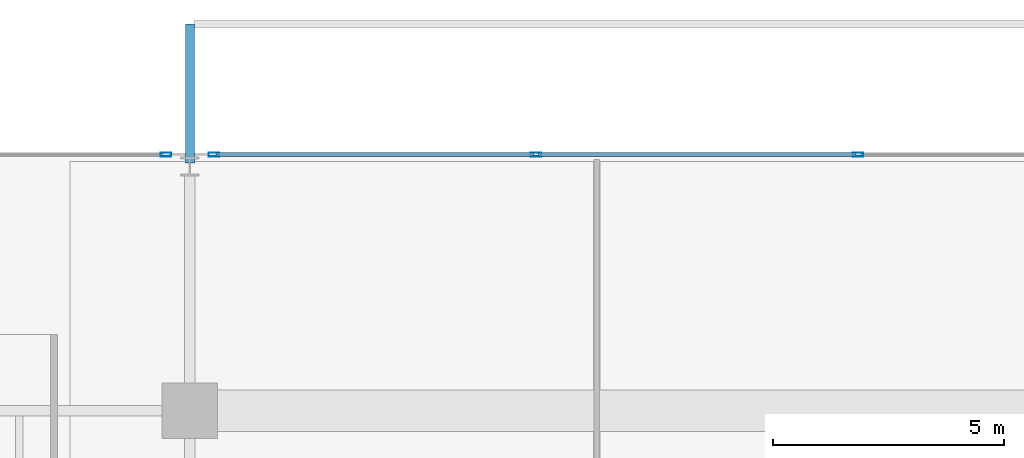
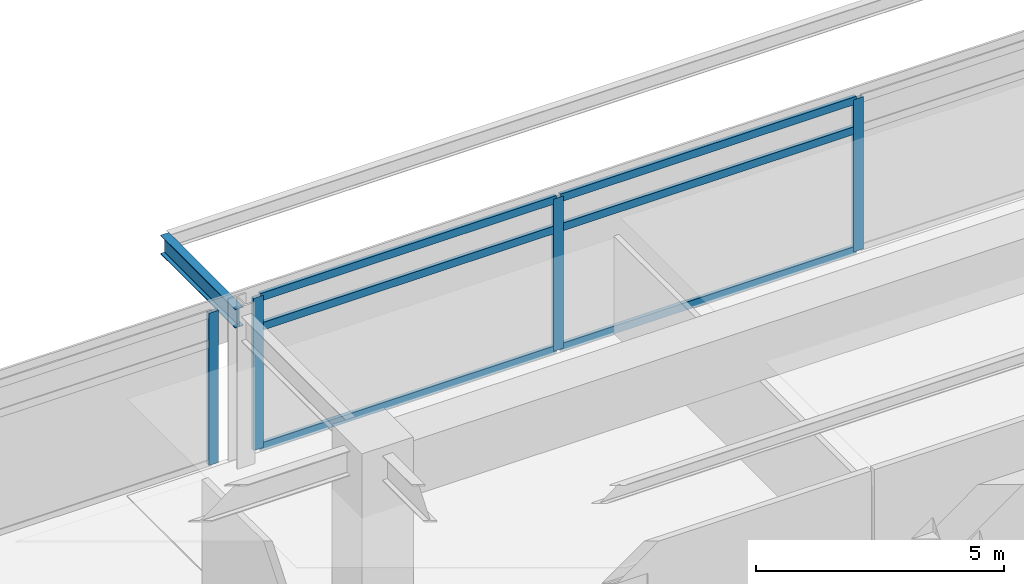
# One storey, part 9 of 20: 10 members, 1 beam, 2 elements without a shape of their own.
"""IFC4 building model written with IfcOpenShell, lengths in metres."""

from ifc_helpers import new_model, si_unit, direction, frame, origin, origin_2d, place, context, subcontext, project, spatial, hollow_rectangle, i_section, extrude, material, material_profile, profile_set, type_object, element, aggregate, save


model = new_model("IFC4")

# Units and contexts
model_context = context("Model", 3, precision=1e-05, world=origin(), true_north=direction((0.0, 1.0)))
body_context = subcontext(model_context, "Body", "Model", "MODEL_VIEW")
ifc_project = project(units=[si_unit("LENGTHUNIT", "METRE"), si_unit("AREAUNIT", "SQUARE_METRE"), si_unit("VOLUMEUNIT", "CUBIC_METRE"), si_unit("PLANEANGLEUNIT", "RADIAN"), si_unit("MASSUNIT", "GRAM", prefix="KILO")], contexts=[model_context])

# Site, building, storey
site_placement = place(None, origin())
site = spatial("IfcSite", under=ifc_project, at=site_placement, CompositionType="ELEMENT")
building_placement = place(site_placement, origin())
building = spatial("IfcBuilding", under=site, at=building_placement, Name="Kovane Verandah Tower", CompositionType="ELEMENT")
storey_placement = place(building_placement, frame((0.0, 0.0, 279.199951171875)))
storey = spatial("IfcBuildingStorey", under=building, at=storey_placement, Name="L65", CompositionType="ELEMENT", Elevation=279.199951171875)

# Curtain wall, members
ifc_material_1 = material(Name="Champagne Anodised Aluminium Frame with Low-E Clear Laminated Glass", Category="aluminium")
curtain_wall_type = type_object("IfcCurtainWallType", Name="CW-SYS-05-HIGH", PredefinedType="NOTDEFINED", material=ifc_material_1)
curtain_wall_1_placement = place(storey_placement, origin())
curtain_wall_1 = element("IfcCurtainWall", 1, at=curtain_wall_1_placement, inside=storey, type_object=curtain_wall_type, Name="L65 N Unitised Curtain Wall-2", PredefinedType="NOTDEFINED")
ifc_material_2 = material(Name="Champagne Anodised Aluminium 6063-T6", Category="aluminium")
ifc_material_profile_1 = material_profile(ifc_material_2, hollow_rectangle(XDim=0.0849609375, YDim=0.22998046875, WallThickness=0.00390625, at=origin_2d()), Name="AL85x230x4")
ifc_profile_set_1 = profile_set([ifc_material_profile_1], Name="Champagne Anodised Aluminium 6063-T6")
member_type_1 = type_object("IfcMemberType", Name="CW-MUL-85x230", PredefinedType="MULLION", material=ifc_profile_set_1)
member_1_placement = place(storey_placement, frame((43.493408203125, 49.75634765625, 0.02001953125), z_axis=(0.0, 0.0, 1.0), x_axis=(0.0, 1.0, 0.0)))
member_1 = element("IfcMember", 2, at=member_1_placement, type_object=member_type_1, Name="L65 N Unitised Curtain Wall-2 Mullion 2", PredefinedType="MULLION", context=body_context, shape_type="SweptSolid", body=[
    extrude(hollow_rectangle(XDim=0.0849609375, YDim=0.22998046875, WallThickness=0.00390625, at=origin_2d()), origin(), (0.0, 0.0, 1.0), 3.7451171875),
])
member_2_placement = place(storey_placement, frame((36.506591796875, 49.75634765625, 0.02001953125), z_axis=(0.0, 0.0, 1.0), x_axis=(0.0, 1.0, 0.0)))
member_2 = element("IfcMember", 3, at=member_2_placement, type_object=member_type_1, Name="L65 N Unitised Curtain Wall-2 Mullion 3", PredefinedType="MULLION", context=body_context, shape_type="SweptSolid", body=[
    extrude(hollow_rectangle(XDim=0.0849609375, YDim=0.22998046875, WallThickness=0.00390625, at=origin_2d()), origin(), (0.0, 0.0, 1.0), 3.7451171875),
])
member_3_placement = place(storey_placement, frame((29.52001953125, 49.75634765625, 0.02001953125), z_axis=(0.0, 0.0, 1.0), x_axis=(0.0, 1.0, 0.0)))
member_3 = element("IfcMember", 4, at=member_3_placement, type_object=member_type_1, Name="L65 N Unitised Curtain Wall-2 Mullion 4", PredefinedType="MULLION", context=body_context, shape_type="SweptSolid", body=[
    extrude(hollow_rectangle(XDim=0.0849609375, YDim=0.22998046875, WallThickness=0.00390625, at=origin_2d()), origin(), (0.0, 0.0, 1.0), 3.7451171875),
])

# Curtain wall, member
curtain_wall_2_placement = place(storey_placement, origin())
curtain_wall_2 = element("IfcCurtainWall", 5, at=curtain_wall_2_placement, inside=storey, type_object=curtain_wall_type, Name="L65 N Unitised Curtain Wall-3", PredefinedType="NOTDEFINED")
member_4_placement = place(storey_placement, frame((28.47998046875, 49.75634765625, 0.02001953125), z_axis=(0.0, 0.0, 1.0), x_axis=(0.0, 1.0, 0.0)))
member_4 = element("IfcMember", 6, at=member_4_placement, type_object=member_type_1, Name="L65 N Unitised Curtain Wall-3 Mullion 1", PredefinedType="MULLION", context=body_context, shape_type="SweptSolid", body=[
    extrude(hollow_rectangle(XDim=0.0849609375, YDim=0.22998046875, WallThickness=0.00390625, at=origin_2d()), origin(), (0.0, 0.0, 1.0), 3.7451171875),
])
aggregate(curtain_wall_2, [member_4])

# Member
ifc_material_profile_2 = material_profile(ifc_material_2, hollow_rectangle(XDim=0.0849609375, YDim=0.18994140625, WallThickness=0.00390625, at=origin_2d()), Name="AL85x190x4")
ifc_profile_set_2 = profile_set([ifc_material_profile_2], Name="Champagne Anodised Aluminium 6063-T6")
member_type_2 = type_object("IfcMemberType", Name="CW-TRN-85x190", PredefinedType="USERDEFINED", material=ifc_profile_set_2)
member_5_placement = place(storey_placement, frame((43.443359375, 49.75634765625, 0.050048828125), z_axis=(-1.0, 0.0, 0.0), x_axis=(0.0, -1.0, 0.0)))
member_5 = element("IfcMember", 7, at=member_5_placement, type_object=member_type_2, Name="L65 N Unitised Curtain Wall-2 Transom TB Bay 2", ObjectType="TRANSOM", PredefinedType="USERDEFINED", context=body_context, shape_type="SweptSolid", body=[
    extrude(hollow_rectangle(XDim=0.0849609375, YDim=0.18994140625, WallThickness=0.00390625, at=origin_2d()), origin(), (0.0, 0.0, 1.0), 6.88671875),
])

member_6_placement = place(storey_placement, frame((43.443359375, 49.75634765625, 3.005126953125), z_axis=(-1.0, 0.0, 0.0), x_axis=(0.0, -1.0, 0.0)))
member_6 = element("IfcMember", 8, at=member_6_placement, type_object=member_type_2, Name="L65 N Unitised Curtain Wall-2 Transom TM Bay 2", ObjectType="TRANSOM", PredefinedType="USERDEFINED", context=body_context, shape_type="SweptSolid", body=[
    extrude(hollow_rectangle(XDim=0.0849609375, YDim=0.18994140625, WallThickness=0.00390625, at=origin_2d()), origin(), (0.0, 0.0, 1.0), 6.88671875),
])

member_7_placement = place(storey_placement, frame((43.443359375, 49.75634765625, 3.735107421875), z_axis=(-1.0, 0.0, 0.0), x_axis=(0.0, -1.0, 0.0)))
member_7 = element("IfcMember", 9, at=member_7_placement, type_object=member_type_2, Name="L65 N Unitised Curtain Wall-2 Transom TT Bay 2", ObjectType="TRANSOM", PredefinedType="USERDEFINED", context=body_context, shape_type="SweptSolid", body=[
    extrude(hollow_rectangle(XDim=0.0849609375, YDim=0.18994140625, WallThickness=0.00390625, at=origin_2d()), origin(), (0.0, 0.0, 1.0), 6.88671875),
])

member_8_placement = place(storey_placement, frame((36.456787109375, 49.75634765625, 0.050048828125), z_axis=(-1.0, 0.0, 0.0), x_axis=(0.0, -1.0, 0.0)))
member_8 = element("IfcMember", 10, at=member_8_placement, type_object=member_type_2, Name="L65 N Unitised Curtain Wall-2 Transom TB Bay 3", ObjectType="TRANSOM", PredefinedType="USERDEFINED", context=body_context, shape_type="SweptSolid", body=[
    extrude(hollow_rectangle(XDim=0.0849609375, YDim=0.18994140625, WallThickness=0.00390625, at=origin_2d()), origin(), (0.0, 0.0, 1.0), 6.88671875),
])

member_9_placement = place(storey_placement, frame((36.456787109375, 49.75634765625, 3.005126953125), z_axis=(-1.0, 0.0, 0.0), x_axis=(0.0, -1.0, 0.0)))
member_9 = element("IfcMember", 11, at=member_9_placement, type_object=member_type_2, Name="L65 N Unitised Curtain Wall-2 Transom TM Bay 3", ObjectType="TRANSOM", PredefinedType="USERDEFINED", context=body_context, shape_type="SweptSolid", body=[
    extrude(hollow_rectangle(XDim=0.0849609375, YDim=0.18994140625, WallThickness=0.00390625, at=origin_2d()), origin(), (0.0, 0.0, 1.0), 6.88671875),
])

member_10_placement = place(storey_placement, frame((36.456787109375, 49.75634765625, 3.735107421875), z_axis=(-1.0, 0.0, 0.0), x_axis=(0.0, -1.0, 0.0)))
member_10 = element("IfcMember", 12, at=member_10_placement, type_object=member_type_2, Name="L65 N Unitised Curtain Wall-2 Transom TT Bay 3", ObjectType="TRANSOM", PredefinedType="USERDEFINED", context=body_context, shape_type="SweptSolid", body=[
    extrude(hollow_rectangle(XDim=0.0849609375, YDim=0.18994140625, WallThickness=0.00390625, at=origin_2d()), origin(), (0.0, 0.0, 1.0), 6.88671875),
])

aggregate(curtain_wall_1, [member_1, member_2, member_3, member_5, member_6, member_7, member_8, member_9, member_10])

# Beam
ifc_material_3 = material(Name="Steel S355", Category="steel")
ifc_material_profile_3 = material_profile(ifc_material_3, i_section(OverallWidth=0.19287109375, OverallDepth=0.46728515625, WebThickness=0.011474609375, FlangeThickness=0.01953125, FilletRadius=0.01025390625, at=origin_2d()), Name="UB457x191x98")
ifc_profile_set_3 = profile_set([ifc_material_profile_3], Name="Steel S355")
beam_type = type_object("IfcBeamType", Name="JST-UB457x98", PredefinedType="JOIST", material=ifc_profile_set_3)
beam_placement = place(storey_placement, frame((29.0, 49.580078125, 3.5263671875), z_axis=(0.0, 1.0, 0.0), x_axis=(-1.0, 0.0, 0.0)))
element("IfcBeam", 13, at=beam_placement, inside=storey, type_object=beam_type, Name="L65 North Planter Girder 1", PredefinedType="JOIST", context=body_context, shape_type="SweptSolid", body=[
    extrude(i_section(OverallWidth=0.19287109375, OverallDepth=0.46728515625, WebThickness=0.011474609375, FlangeThickness=0.01953125, FilletRadius=0.01025390625, at=origin_2d()), origin(), (0.0, 0.0, 1.0), 3.01025390625),
])

save(model, "model.ifc")
